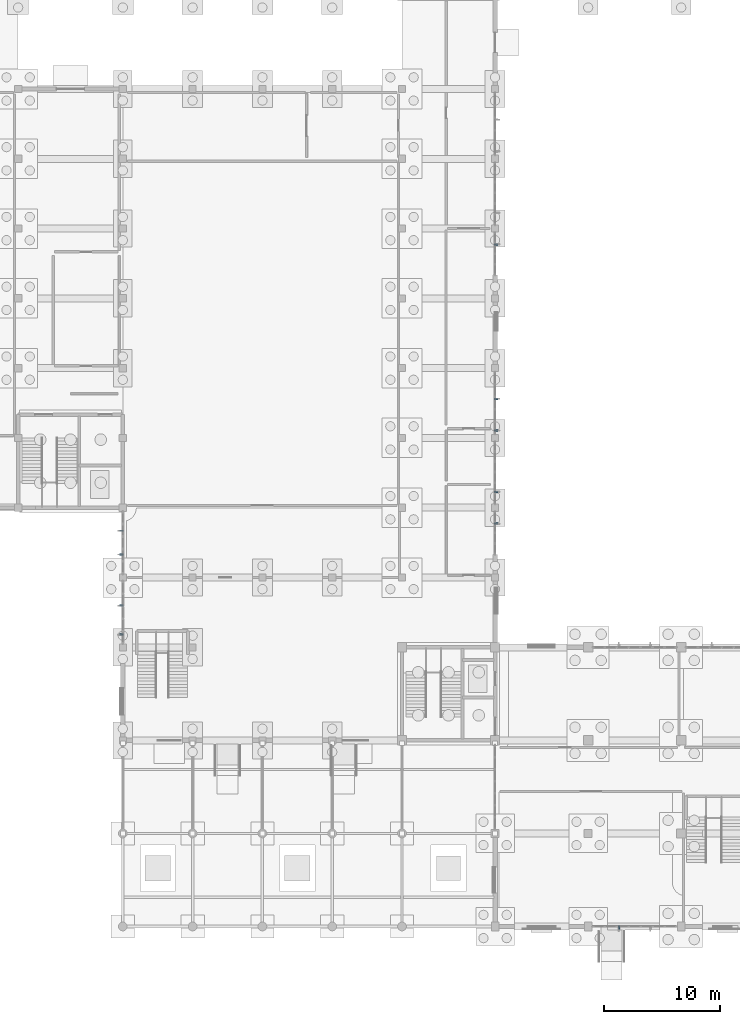
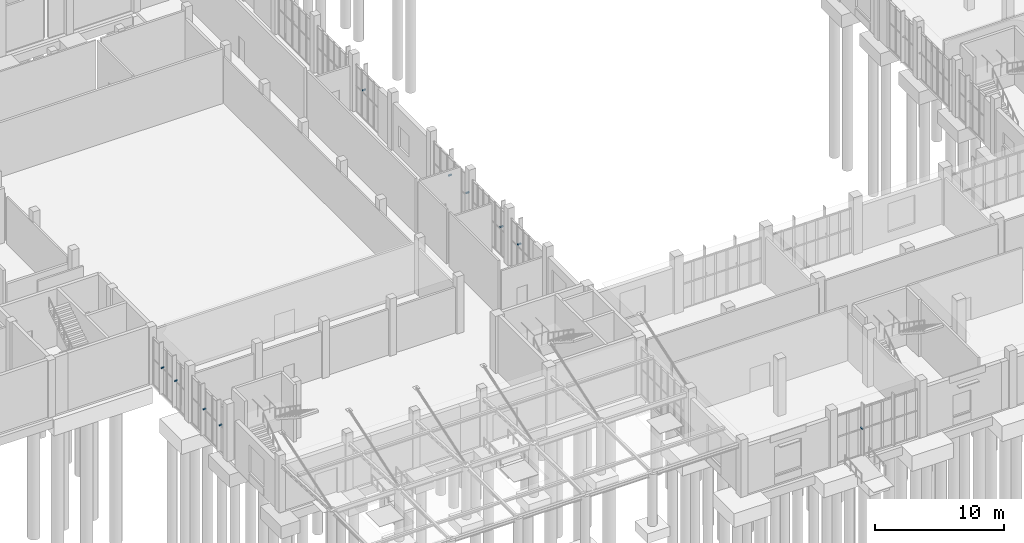
# One storey, part 54 of 69: 10 discrete accessories.
"""IFC4 building model written with IfcOpenShell, lengths in metres."""

from ifc_helpers import new_model, si_unit, direction, frame, origin, origin_2d, place, context, subcontext, project, spatial, rectangle, extrude, material, type_object, element, save


model = new_model("IFC4")

# Units and contexts
model_context = context("Model", 3, precision=1e-05, world=origin(), true_north=direction((0.0, 1.0)))
body_context = subcontext(model_context, "Body", "Model", "MODEL_VIEW")
ifc_project = project(units=[si_unit("LENGTHUNIT", "METRE"), si_unit("AREAUNIT", "SQUARE_METRE"), si_unit("VOLUMEUNIT", "CUBIC_METRE"), si_unit("PLANEANGLEUNIT", "RADIAN"), si_unit("MASSUNIT", "GRAM", prefix="KILO")], contexts=[model_context])

# Site, building, storey
site_placement = place(None, origin())
site = spatial("IfcSite", under=ifc_project, at=site_placement, CompositionType="ELEMENT")
building_placement = place(site_placement, origin())
building = spatial("IfcBuilding", under=site, at=building_placement, Name="Solvane Community Centre", CompositionType="ELEMENT")
storey_placement = place(building_placement, origin())
storey = spatial("IfcBuildingStorey", under=building, at=storey_placement, Name="L00", CompositionType="ELEMENT", Elevation=0.0)

# Discrete accessories
ifc_material = material(Name="Steel ASTM A572 Grade 50", Category="steel")
discrete_accessory_type = type_object("IfcDiscreteAccessoryType", Name="Fin Mounting Bracket 120x120", PredefinedType="BRACKET", material=ifc_material)
for number, where, z_axis, x_axis, name in (
    (1, (78.639892578125, 5.89990234375, 2.52001953125), (0.0, 0.0, 1.0), (-1.0, 0.0, 0.0), "Fin Bracket 2"),
    (2, (35.89990234375, 31.086669921875, 2.52001953125), (0.0, 0.0, 1.0), (0.0, 1.0, 0.0), "Fin Bracket 3"),
    (3, (35.89990234375, 33.580078125, 2.52001953125), (0.0, 0.0, 1.0), (0.0, 1.0, 0.0), "Fin Bracket 4"),
    (4, (35.89990234375, 37.97998046875, 2.52001953125), (0.0, 0.0, 1.0), (0.0, 1.0, 0.0), "Fin Bracket 5"),
    (5, (35.89990234375, 40.02001953125, 2.52001953125), (0.0, 0.0, 1.0), (0.0, 1.0, 0.0), "Fin Bracket 6"),
    (6, (68.10009765625, 64.639892578125, 2.52001953125), (0.0, 0.0, 1.0), (0.0, -1.0, 0.0), "Fin Bracket 16"),
    (7, (68.10009765625, 51.360107421875, 2.52001953125), (0.0, 0.0, 1.0), (0.0, -1.0, 0.0), "Fin Bracket 17"),
    (8, (68.10009765625, 48.639892578125, 2.52001953125), (0.0, 0.0, 1.0), (0.0, -1.0, 0.0), "Fin Bracket 18"),
    (9, (68.10009765625, 43.360107421875, 2.52001953125), (0.0, 0.0, 1.0), (0.0, -1.0, 0.0), "Fin Bracket 19"),
    (10, (68.10009765625, 40.639892578125, 2.52001953125), (0.0, 0.0, 1.0), (0.0, -1.0, 0.0), "Fin Bracket 20"),
):
    element("IfcDiscreteAccessory", number, at=place(storey_placement, frame(where, z_axis=z_axis, x_axis=x_axis)), inside=storey, type_object=discrete_accessory_type, Name=name, PredefinedType="BRACKET", context=body_context, shape_type="SweptSolid", body=[
        extrude(rectangle(XDim=0.1201171875, YDim=0.300048828125, at=origin_2d()), origin(), (0.0, 0.0, 1.0), 0.1201171875),
    ])

save(model, "model.ifc")
